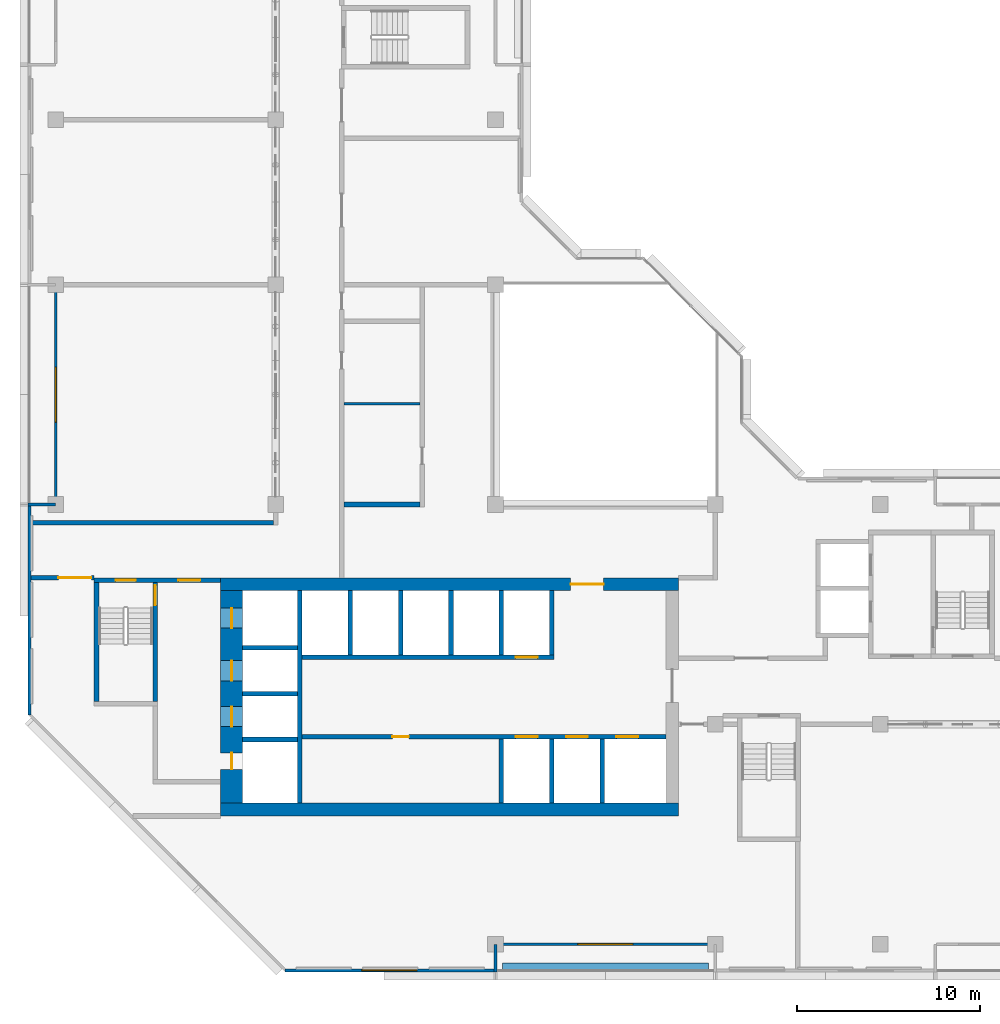
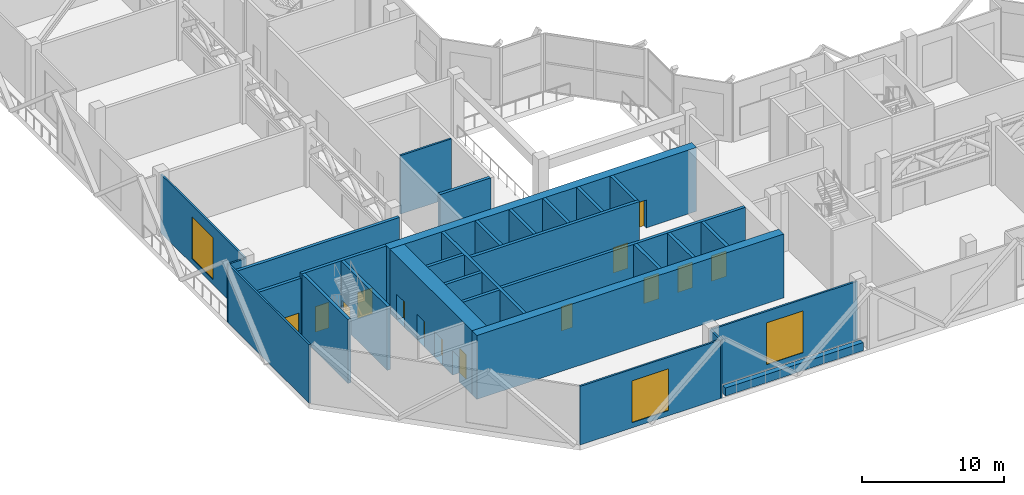
# One storey, part 6 of 14: 31 walls, 14 doors, 3 windows, 17 openings.
"""IFC4 building model written with IfcOpenShell, lengths in metres."""

import ifcopenshell
import ifcopenshell.guid

model = None  # the IFC model being written
_history = None  # IfcOwnerHistory: only IFC2X3 demands one
_inside = {}  # id of a spatial element -> (the spatial element, [elements in it])
_under = {}  # id of a project, library or spatial element -> (it, [spatial elements below it])
_declared = {}  # id of a project -> (the project, [libraries it declares])
_typed = {}  # id of a type object -> (the type object, [elements of that type])
_made_of = {}  # id of a material, layer set ... -> (it, [elements and type objects made of it])


def new_model(schema):
    """Start an empty IFC model of exactly this schema.

    Asked for "IFC4X3", IfcOpenShell would pick the latest addendum, in which some entities
    have other attributes; the version numbers below select the first issue.
    IFC2X3 requires an IfcOwnerHistory on every rooted entity: one is made here for all.
    """
    global model, _history
    if schema == "IFC4X3":
        model = ifcopenshell.file(schema_version=(4, 3, 0, 0))
    else:
        model = ifcopenshell.file(schema=schema)
    _inside.clear()
    _under.clear()
    _declared.clear()
    _typed.clear()
    _made_of.clear()
    _history = None
    if model.schema == "IFC2X3":
        org = make("IfcOrganization", Name="unknown")
        user = make(
            "IfcPersonAndOrganization",
            ThePerson=make("IfcPerson", FamilyName="unknown"),
            TheOrganization=org,
        )
        app = make(
            "IfcApplication",
            ApplicationDeveloper=org,
            Version="unknown",
            ApplicationFullName="unknown",
            ApplicationIdentifier="unknown",
        )
        _history = make(
            "IfcOwnerHistory",
            OwningUser=user,
            OwningApplication=app,
            ChangeAction="ADDED",
            CreationDate=0,
        )
    return model


def make(cls, **values):
    """One entity of the class cls with the attributes given. An attribute that is None is left unset."""
    return model.create_entity(
        cls, **{name: value for name, value in values.items() if value is not None}
    )


def rooted(cls, **values):
    """An entity with a GlobalId (a new one), such as an element, a storey or a relation."""
    return make(cls, GlobalId=ifcopenshell.guid.new(), OwnerHistory=_history, **values)


def si_unit(unit_type, name, prefix=None):
    """IfcSIUnit, for example si_unit("LENGTHUNIT", "METRE", prefix="MILLI")."""
    return make("IfcSIUnit", UnitType=unit_type, Prefix=prefix, Name=name)


def assignment(units):
    """IfcUnitAssignment: the units of a project."""
    return None if units is None else make("IfcUnitAssignment", Units=units)


def point(xyz):
    """IfcCartesianPoint."""
    return None if xyz is None else make("IfcCartesianPoint", Coordinates=xyz)


def direction(xyz):
    """IfcDirection."""
    return None if xyz is None else make("IfcDirection", DirectionRatios=xyz)


def frame(location, z_axis=None, x_axis=None):
    """IfcAxis2Placement3D, a coordinate frame: its origin and axes. An axis left out is left unset."""
    return make(
        "IfcAxis2Placement3D",
        Location=point(location),
        Axis=direction(z_axis),
        RefDirection=direction(x_axis),
    )


def frame_2d(location, x_axis=None):
    """IfcAxis2Placement2D, a coordinate frame in the plane: its origin and x axis."""
    return make(
        "IfcAxis2Placement2D", Location=point(location), RefDirection=direction(x_axis)
    )


def origin():
    """The frame at (0, 0, 0) with its axes left unset."""
    return frame((0.0, 0.0, 0.0))


def place(relative_to, where):
    """IfcLocalPlacement: puts the frame where relative to a parent placement (None: the world)."""
    return make(
        "IfcLocalPlacement", PlacementRelTo=relative_to, RelativePlacement=where
    )


def context(
    kind, dimensions, precision=None, world=None, true_north=None, identifier=None
):
    """IfcGeometricRepresentationContext, for example the 3D "Model" context."""
    return make(
        "IfcGeometricRepresentationContext",
        ContextIdentifier=identifier,
        ContextType=kind,
        CoordinateSpaceDimension=dimensions,
        Precision=precision,
        WorldCoordinateSystem=world,
        TrueNorth=true_north,
    )


def subcontext(parent, identifier, kind, view, scale=None):
    """IfcGeometricRepresentationSubContext, for example "Body" below "Model"."""
    return make(
        "IfcGeometricRepresentationSubContext",
        ContextIdentifier=identifier,
        ContextType=kind,
        ParentContext=parent,
        TargetScale=scale,
        TargetView=view,
    )


def project(units=None, contexts=None):
    """IfcProject with its units and contexts."""
    return rooted(
        "IfcProject",
        Name="project",
        RepresentationContexts=contexts,
        UnitsInContext=assignment(units),
    )


def spatial(cls, under=None, at=None, **own):
    """A site, building, storey or space (cls), placed at a placement, below another one or the project."""
    s = rooted(cls, ObjectPlacement=at, **own)
    if under is not None:
        _under.setdefault(under.id(), (under, []))[1].append(s)
    return s


def profile(cls, at=None, kind="AREA", **sizes):
    """A parametric profile (cls). Its sizes go by their IFC names, for example OverallWidth=200.0."""
    return make(cls, ProfileType=kind, Position=at, **sizes)


def rectangle(**sizes):
    """IfcRectangleProfileDef."""
    return profile("IfcRectangleProfileDef", **sizes)


def extrude(swept, where, along, depth):
    """IfcExtrudedAreaSolid: the profile swept, set in the frame where, extruded along a direction by depth."""
    return make(
        "IfcExtrudedAreaSolid",
        SweptArea=swept,
        Position=where,
        ExtrudedDirection=direction(along),
        Depth=depth,
    )


def shape(context_of_items, identifier, shape_type, items):
    """IfcShapeRepresentation: the items that make up one representation, for example the "Body"."""
    return make(
        "IfcShapeRepresentation",
        ContextOfItems=context_of_items,
        RepresentationIdentifier=identifier,
        RepresentationType=shape_type,
        Items=items,
    )


def material(Name=None, Category=None):
    """IfcMaterial."""
    return make("IfcMaterial", Name=Name, Category=Category)


def layer(
    of_material, thickness, ventilated=None, Name=None, Category=None, Priority=None
):
    """IfcMaterialLayer: one layer of a wall or slab, of a material (None: an air gap)."""
    return make(
        "IfcMaterialLayer",
        Material=of_material,
        LayerThickness=thickness,
        IsVentilated=ventilated,
        Name=Name,
        Category=Category,
        Priority=Priority,
    )


def layer_set(layers, Name=None):
    """IfcMaterialLayerSet."""
    return make("IfcMaterialLayerSet", MaterialLayers=layers, LayerSetName=Name)


def made_of(thing, what):
    """Note that an element or type object is made of a material, layer set ...; save() writes the relation."""
    if what is not None:
        _made_of.setdefault(what.id(), (what, []))[1].append(thing)
    return thing


def type_object(cls, material=None, **own):
    """A type object (cls), such as IfcWallType, which elements share."""
    return made_of(rooted(cls, **own), material)


def element(
    cls,
    number,
    at=None,
    inside=None,
    cuts=None,
    type_object=None,
    material=None,
    context=None,
    identifier="Body",
    shape_type=None,
    held_by="IfcProductDefinitionShape",
    body=None,
    shapes=None,
    **own,
):
    """One element of the class cls, such as IfcWall. Its Tag is "e" and its number.

    at: its placement. inside: the storey or other place that contains it. cuts: it is an
    opening in that element (IfcRelVoidsElement). A single representation is given by context,
    identifier, shape_type and body (its items); several are given by shapes. held_by: the class
    of the entity that holds the representations. save() writes the other relations.
    """
    e = rooted(cls, Tag="e%d" % number, ObjectPlacement=at, **own)
    if body is not None:
        shapes = [shape(context, identifier, shape_type, body)]
    if shapes is not None:
        e.Representation = make(held_by, Representations=shapes)
    if inside is not None:
        _inside.setdefault(inside.id(), (inside, []))[1].append(e)
    if cuts is not None:
        rooted(
            "IfcRelVoidsElement", RelatingBuildingElement=cuts, RelatedOpeningElement=e
        )
    if type_object is not None:
        _typed.setdefault(type_object.id(), (type_object, []))[1].append(e)
    return made_of(e, material)


def fill(opening, filler):
    """IfcRelFillsElement: the door or window that sits in an opening."""
    return rooted(
        "IfcRelFillsElement",
        RelatingOpeningElement=opening,
        RelatedBuildingElement=filler,
    )


def aggregate(whole, parts):
    """IfcRelAggregates: a whole, such as a stair, and the parts it consists of."""
    return rooted("IfcRelAggregates", RelatingObject=whole, RelatedObjects=parts)


def save(model, path):
    """Write the relations noted so far, then the file.

    IfcRelAggregates (storeys below a building ...), IfcRelContainedInSpatialStructure (elements
    in a storey), IfcRelDefinesByType, IfcRelAssociatesMaterial and IfcRelDeclares: one each for
    every whole, place, type object, material and project.
    """
    for whole, parts in _under.values():
        aggregate(whole, parts)
    for where, things in _inside.values():
        rooted(
            "IfcRelContainedInSpatialStructure",
            RelatedElements=things,
            RelatingStructure=where,
        )
    for kind, things in _typed.values():
        rooted("IfcRelDefinesByType", RelatedObjects=things, RelatingType=kind)
    for what, things in _made_of.values():
        rooted("IfcRelAssociatesMaterial", RelatedObjects=things, RelatingMaterial=what)
    for by, libraries in _declared.values():
        rooted("IfcRelDeclares", RelatingContext=by, RelatedDefinitions=libraries)
    model.write(path)


model = new_model("IFC4")

# Units and contexts
model_context = context("Model", 3, precision=1e-05, world=origin(), true_north=direction((0.0, 1.0)))
body_context = subcontext(model_context, "Body", "Model", "MODEL_VIEW")
ifc_project = project(units=[si_unit("LENGTHUNIT", "METRE"), si_unit("AREAUNIT", "SQUARE_METRE"), si_unit("VOLUMEUNIT", "CUBIC_METRE"), si_unit("PLANEANGLEUNIT", "RADIAN"), si_unit("MASSUNIT", "GRAM", prefix="KILO")], contexts=[model_context])

# Site, building, storey
site_placement = place(None, origin())
site = spatial("IfcSite", under=ifc_project, at=site_placement, CompositionType="ELEMENT")
building_placement = place(site_placement, origin())
building = spatial("IfcBuilding", under=site, at=building_placement, Name="Chenar Terraces", CompositionType="ELEMENT")
storey_placement = place(building_placement, frame((0.0, 0.0, 256.64990234375)))
storey = spatial("IfcBuildingStorey", under=building, at=storey_placement, Name="L61", CompositionType="ELEMENT", Elevation=256.64990234375)

# Wall, openings, doors
ifc_material_1 = material(Name="Concrete C60/75", Category="concrete")
ifc_layer_1 = layer(ifc_material_1, 1.199951171875)
ifc_layer_set_1 = layer_set([ifc_layer_1], Name="Concrete C60/75")
wall_type_1 = type_object("IfcWallType", Name="Core wall 1200 Concrete C60/75", PredefinedType="SHEAR", material=ifc_layer_set_1)
wall_1_placement = place(storey_placement, frame((9.60009765625, 7.699951171875, 0.0), z_axis=(0.0, 0.0, 1.0), x_axis=(0.0, 1.0, 0.0)))
wall_1 = element("IfcWall", 1, at=wall_1_placement, inside=storey, type_object=wall_type_1, Name="Core wall W L61", PredefinedType="SHEAR", context=body_context, shape_type="SweptSolid", body=[
    extrude(rectangle(XDim=11.60009765625, YDim=1.199951171875, at=frame_2d((5.800048828125, 0.0))), origin(), (0.0, 0.0, 1.0), 5.5),
])
opening_1_placement = place(wall_1_placement, frame((4.175048828125, 0.0, 0.0)))
opening_1 = element("IfcOpeningElement", 2, at=opening_1_placement, cuts=wall_1, Name="Opening DL61-LD5", PredefinedType="OPENING", context=body_context, shape_type="SweptSolid", body=[
    extrude(rectangle(XDim=1.10009765625, YDim=2.199951171875, at=frame_2d((0.550048828125, 1.10009765625))), frame((0.0, 0.60986328125, 0.0), z_axis=(0.0, -1.0, 0.0), x_axis=(1.0, 0.0, 0.0)), (0.0, 0.0, 1.0), 1.219970703125),
])
opening_2_placement = place(wall_1_placement, frame((6.675048828125, 0.0, 0.0)))
opening_2 = element("IfcOpeningElement", 3, at=opening_2_placement, cuts=wall_1, Name="Opening DL61-LD6", PredefinedType="OPENING", context=body_context, shape_type="SweptSolid", body=[
    extrude(rectangle(XDim=1.10009765625, YDim=2.199951171875, at=frame_2d((0.550048828125, 1.10009765625))), frame((0.0, 0.60986328125, 0.0), z_axis=(0.0, -1.0, 0.0), x_axis=(1.0, 0.0, 0.0)), (0.0, 0.0, 1.0), 1.219970703125),
])
opening_3_placement = place(wall_1_placement, frame((9.550048828125, 0.0, 0.0)))
opening_3 = element("IfcOpeningElement", 4, at=opening_3_placement, cuts=wall_1, Name="Opening DL61-LD7", PredefinedType="OPENING", context=body_context, shape_type="SweptSolid", body=[
    extrude(rectangle(XDim=1.10009765625, YDim=2.199951171875, at=frame_2d((0.550048828125, 1.10009765625))), frame((0.0, 0.60986328125, 0.0), z_axis=(0.0, -1.0, 0.0), x_axis=(1.0, 0.0, 0.0)), (0.0, 0.0, 1.0), 1.219970703125),
])
opening_4_placement = place(wall_1_placement, frame((1.85009765625, 0.0, 0.0)))
opening_4 = element("IfcOpeningElement", 5, at=opening_4_placement, cuts=wall_1, Name="Opening DL61-C4", PredefinedType="OPENING", context=body_context, shape_type="SweptSolid", body=[
    extrude(rectangle(XDim=0.89990234375, YDim=2.10009765625, at=frame_2d((0.449951171875, 1.050048828125))), frame((0.0, 0.60986328125, 0.0), z_axis=(0.0, -1.0, 0.0), x_axis=(1.0, 0.0, 0.0)), (0.0, 0.0, 1.0), 1.219970703125),
])
ifc_material_2 = material(Name="Stainless steel", Category="steel")
door_type_1 = type_object("IfcDoorType", Name="Lift landing door 1100 x 2200 sliding", OperationType="DOUBLE_DOOR_SLIDING", PredefinedType="DOOR", material=ifc_material_2)
door_1_placement = place(opening_1_placement, origin())
door_1 = element("IfcDoor", 6, at=door_1_placement, inside=storey, type_object=door_type_1, Name="Landing door S1", OperationType="DOUBLE_DOOR_SLIDING", OverallHeight=2.199951171875, OverallWidth=1.10009765625, PredefinedType="DOOR", context=body_context, shape_type="SweptSolid", body=[
    extrude(rectangle(XDim=1.10009765625, YDim=2.199951171875, at=frame_2d((0.550048828125, 1.10009765625))), frame((0.0, 0.02490234375, 0.0), z_axis=(0.0, -1.0, 0.0), x_axis=(1.0, 0.0, 0.0)), (0.0, 0.0, 1.0), 0.050048828125),
])
fill(opening_1, door_1)
door_2_placement = place(opening_2_placement, origin())
door_2 = element("IfcDoor", 7, at=door_2_placement, inside=storey, type_object=door_type_1, Name="Landing door F1", OperationType="DOUBLE_DOOR_SLIDING", OverallHeight=2.199951171875, OverallWidth=1.10009765625, PredefinedType="DOOR", context=body_context, shape_type="SweptSolid", body=[
    extrude(rectangle(XDim=1.10009765625, YDim=2.199951171875, at=frame_2d((0.550048828125, 1.10009765625))), frame((0.0, 0.02490234375, 0.0), z_axis=(0.0, -1.0, 0.0), x_axis=(1.0, 0.0, 0.0)), (0.0, 0.0, 1.0), 0.050048828125),
])
fill(opening_2, door_2)
door_3_placement = place(opening_3_placement, origin())
door_3 = element("IfcDoor", 8, at=door_3_placement, inside=storey, type_object=door_type_1, Name="Landing door F2", OperationType="DOUBLE_DOOR_SLIDING", OverallHeight=2.199951171875, OverallWidth=1.10009765625, PredefinedType="DOOR", context=body_context, shape_type="SweptSolid", body=[
    extrude(rectangle(XDim=1.10009765625, YDim=2.199951171875, at=frame_2d((0.550048828125, 1.10009765625))), frame((0.0, 0.02490234375, 0.0), z_axis=(0.0, -1.0, 0.0), x_axis=(1.0, 0.0, 0.0)), (0.0, 0.0, 1.0), 0.050048828125),
])
fill(opening_3, door_3)
ifc_material_3 = material(Name="Steel-framed fire-resisting door leaf", Category="steel")
door_type_2 = type_object("IfcDoorType", Name="Riser fire door FD60 900 x 2100", OperationType="SINGLE_SWING_LEFT", PredefinedType="DOOR", material=ifc_material_3)
door_4_placement = place(opening_4_placement, frame((0.89990234375, 0.0, 0.0), z_axis=(0.0, 0.0, 1.0), x_axis=(-1.0, 0.0, 0.0)))
door_4 = element("IfcDoor", 9, at=door_4_placement, inside=storey, type_object=door_type_2, Name="Riser door DL61-C4", OperationType="SINGLE_SWING_LEFT", OverallHeight=2.10009765625, OverallWidth=0.89990234375, PredefinedType="DOOR", context=body_context, shape_type="SweptSolid", body=[
    extrude(rectangle(XDim=0.89990234375, YDim=2.10009765625, at=frame_2d((0.449951171875, 1.050048828125))), frame((0.0, 0.02490234375, 0.0), z_axis=(0.0, -1.0, 0.0), x_axis=(1.0, 0.0, 0.0)), (0.0, 0.0, 1.0), 0.050048828125),
])
fill(opening_4, door_4)

# Wall
ifc_material_4 = material(Name="Concrete C60/75", Category="concrete")
ifc_layer_2 = layer(ifc_material_4, 0.25)
ifc_layer_set_2 = layer_set([ifc_layer_2], Name="Concrete C60/75")
wall_type_2 = type_object("IfcWallType", Name="Core wall 250 Concrete C60/75", PredefinedType="SHEAR", material=ifc_layer_set_2)
wall_2_placement = place(storey_placement, frame((13.324951171875, 7.699951171875, 0.0), z_axis=(0.0, 0.0, 1.0), x_axis=(0.0, 1.0, 0.0)))
element("IfcWall", 10, at=wall_2_placement, inside=storey, type_object=wall_type_2, Name="Core wall WI L61", PredefinedType="SHEAR", context=body_context, shape_type="SweptSolid", body=[
    extrude(rectangle(XDim=11.60009765625, YDim=0.25, at=frame_2d((5.800048828125, 0.0))), origin(), (0.0, 0.0, 1.0), 5.5),
])

# Wall, openings, doors
wall_3_placement = place(storey_placement, frame((13.449951171875, 11.324951171875, 0.0), z_axis=(0.0, 0.0, 1.0), x_axis=(1.0, 0.0, 0.0)))
wall_3 = element("IfcWall", 11, at=wall_3_placement, inside=storey, type_object=wall_type_2, Name="Core wall SF L61", PredefinedType="SHEAR", context=body_context, shape_type="SweptSolid", body=[
    extrude(rectangle(XDim=19.85009765625, YDim=0.25, at=frame_2d((9.925048828125, 0.0))), origin(), (0.0, 0.0, 1.0), 5.5),
])
opening_5_placement = place(wall_3_placement, frame((11.64990234375, 0.0, 0.0)))
opening_5 = element("IfcOpeningElement", 12, at=opening_5_placement, cuts=wall_3, Name="Opening DL61-LD1", PredefinedType="OPENING", context=body_context, shape_type="SweptSolid", body=[
    extrude(rectangle(XDim=1.199951171875, YDim=2.199951171875, at=frame_2d((0.60009765625, 1.10009765625))), frame((0.0, 0.135009765625, 0.0), z_axis=(0.0, -1.0, 0.0), x_axis=(1.0, 0.0, 0.0)), (0.0, 0.0, 1.0), 0.27001953125),
])
opening_6_placement = place(wall_3_placement, frame((14.39990234375, 0.0, 0.0)))
opening_6 = element("IfcOpeningElement", 13, at=opening_6_placement, cuts=wall_3, Name="Opening DL61-LD2", PredefinedType="OPENING", context=body_context, shape_type="SweptSolid", body=[
    extrude(rectangle(XDim=1.199951171875, YDim=2.199951171875, at=frame_2d((0.60009765625, 1.10009765625))), frame((0.0, 0.135009765625, 0.0), z_axis=(0.0, -1.0, 0.0), x_axis=(1.0, 0.0, 0.0)), (0.0, 0.0, 1.0), 0.27001953125),
])
opening_7_placement = place(wall_3_placement, frame((17.14990234375, 0.0, 0.0)))
opening_7 = element("IfcOpeningElement", 14, at=opening_7_placement, cuts=wall_3, Name="Opening DL61-LD3", PredefinedType="OPENING", context=body_context, shape_type="SweptSolid", body=[
    extrude(rectangle(XDim=1.199951171875, YDim=2.199951171875, at=frame_2d((0.60009765625, 1.10009765625))), frame((0.0, 0.135009765625, 0.0), z_axis=(0.0, -1.0, 0.0), x_axis=(1.0, 0.0, 0.0)), (0.0, 0.0, 1.0), 0.27001953125),
])
opening_8_placement = place(wall_3_placement, frame((4.925048828125, 0.0, 0.0)))
opening_8 = element("IfcOpeningElement", 15, at=opening_8_placement, cuts=wall_3, Name="Opening DL61-C12", PredefinedType="OPENING", context=body_context, shape_type="SweptSolid", body=[
    extrude(rectangle(XDim=0.89990234375, YDim=2.10009765625, at=frame_2d((0.449951171875, 1.050048828125))), frame((0.0, 0.135009765625, 0.0), z_axis=(0.0, -1.0, 0.0), x_axis=(1.0, 0.0, 0.0)), (0.0, 0.0, 1.0), 0.27001953125),
])
ifc_material_5 = material(Name="Stainless steel", Category="steel")
door_type_3 = type_object("IfcDoorType", Name="Lift landing door 1200 x 2200 sliding", OperationType="DOUBLE_DOOR_SLIDING", PredefinedType="DOOR", material=ifc_material_5)
door_5_placement = place(opening_5_placement, origin())
door_5 = element("IfcDoor", 16, at=door_5_placement, inside=storey, type_object=door_type_3, Name="Landing door M1", OperationType="DOUBLE_DOOR_SLIDING", OverallHeight=2.199951171875, OverallWidth=1.199951171875, PredefinedType="DOOR", context=body_context, shape_type="SweptSolid", body=[
    extrude(rectangle(XDim=1.199951171875, YDim=2.199951171875, at=frame_2d((0.60009765625, 1.10009765625))), frame((0.0, 0.02490234375, 0.0), z_axis=(0.0, -1.0, 0.0), x_axis=(1.0, 0.0, 0.0)), (0.0, 0.0, 1.0), 0.050048828125),
])
fill(opening_5, door_5)
door_6_placement = place(opening_6_placement, origin())
door_6 = element("IfcDoor", 17, at=door_6_placement, inside=storey, type_object=door_type_3, Name="Landing door M2", OperationType="DOUBLE_DOOR_SLIDING", OverallHeight=2.199951171875, OverallWidth=1.199951171875, PredefinedType="DOOR", context=body_context, shape_type="SweptSolid", body=[
    extrude(rectangle(XDim=1.199951171875, YDim=2.199951171875, at=frame_2d((0.60009765625, 1.10009765625))), frame((0.0, 0.02490234375, 0.0), z_axis=(0.0, -1.0, 0.0), x_axis=(1.0, 0.0, 0.0)), (0.0, 0.0, 1.0), 0.050048828125),
])
fill(opening_6, door_6)
door_7_placement = place(opening_7_placement, origin())
door_7 = element("IfcDoor", 18, at=door_7_placement, inside=storey, type_object=door_type_3, Name="Landing door M3", OperationType="DOUBLE_DOOR_SLIDING", OverallHeight=2.199951171875, OverallWidth=1.199951171875, PredefinedType="DOOR", context=body_context, shape_type="SweptSolid", body=[
    extrude(rectangle(XDim=1.199951171875, YDim=2.199951171875, at=frame_2d((0.60009765625, 1.10009765625))), frame((0.0, 0.02490234375, 0.0), z_axis=(0.0, -1.0, 0.0), x_axis=(1.0, 0.0, 0.0)), (0.0, 0.0, 1.0), 0.050048828125),
])
fill(opening_7, door_7)
door_8_placement = place(opening_8_placement, frame((0.89990234375, 0.0, 0.0), z_axis=(0.0, 0.0, 1.0), x_axis=(-1.0, 0.0, 0.0)))
door_8 = element("IfcDoor", 19, at=door_8_placement, inside=storey, type_object=door_type_2, Name="Core room door DL61-C12", OperationType="SINGLE_SWING_RIGHT", OverallHeight=2.10009765625, OverallWidth=0.89990234375, PredefinedType="DOOR", context=body_context, shape_type="SweptSolid", body=[
    extrude(rectangle(XDim=0.89990234375, YDim=2.10009765625, at=frame_2d((0.449951171875, 1.050048828125))), frame((0.0, 0.02490234375, 0.0), z_axis=(0.0, -1.0, 0.0), x_axis=(1.0, 0.0, 0.0)), (0.0, 0.0, 1.0), 0.050048828125),
])
fill(opening_8, door_8)

# Wall, opening, door
wall_4_placement = place(storey_placement, frame((13.449951171875, 15.675048828125, 0.0), z_axis=(0.0, 0.0, 1.0), x_axis=(1.0, 0.0, 0.0)))
wall_4 = element("IfcWall", 20, at=wall_4_placement, inside=storey, type_object=wall_type_2, Name="Core wall NF L61", PredefinedType="SHEAR", context=body_context, shape_type="SweptSolid", body=[
    extrude(rectangle(XDim=13.75, YDim=0.25, at=frame_2d((6.875, 0.0))), origin(), (0.0, 0.0, 1.0), 5.5),
])
opening_9_placement = place(wall_4_placement, frame((11.64990234375, 0.0, 0.0)))
opening_9 = element("IfcOpeningElement", 21, at=opening_9_placement, cuts=wall_4, Name="Opening DL61-LD4", PredefinedType="OPENING", context=body_context, shape_type="SweptSolid", body=[
    extrude(rectangle(XDim=1.199951171875, YDim=2.199951171875, at=frame_2d((0.60009765625, 1.10009765625))), frame((0.0, 0.135009765625, 0.0), z_axis=(0.0, -1.0, 0.0), x_axis=(1.0, 0.0, 0.0)), (0.0, 0.0, 1.0), 0.27001953125),
])
door_9_placement = place(opening_9_placement, origin())
door_9 = element("IfcDoor", 22, at=door_9_placement, inside=storey, type_object=door_type_3, Name="Landing door M4", OperationType="DOUBLE_DOOR_SLIDING", OverallHeight=2.199951171875, OverallWidth=1.199951171875, PredefinedType="DOOR", context=body_context, shape_type="SweptSolid", body=[
    extrude(rectangle(XDim=1.199951171875, YDim=2.199951171875, at=frame_2d((0.60009765625, 1.10009765625))), frame((0.0, 0.02490234375, 0.0), z_axis=(0.0, -1.0, 0.0), x_axis=(1.0, 0.0, 0.0)), (0.0, 0.0, 1.0), 0.050048828125),
])
fill(opening_9, door_9)

# Walls
for number, where, z_axis, x_axis, name in (
    (23, (10.199951171875, 11.175048828125, 0.0), (0.0, 0.0, 1.0), (1.0, 0.0, 0.0), "Core wall HW0 L61"),
    (24, (10.199951171875, 13.675048828125, 0.0), (0.0, 0.0, 1.0), (1.0, 0.0, 0.0), "Core wall HW1 L61"),
    (25, (10.199951171875, 16.175048828125, 0.0), (0.0, 0.0, 1.0), (1.0, 0.0, 0.0), "Core wall HW2 L61"),
):
    element("IfcWall", number, at=place(storey_placement, frame(where, z_axis=z_axis, x_axis=x_axis)), inside=storey, type_object=wall_type_2, Name=name, PredefinedType="SHEAR", context=body_context, shape_type="SweptSolid", body=[
        extrude(rectangle(XDim=3.0, YDim=0.25, at=frame_2d((1.5, 0.0))), origin(), (0.0, 0.0, 1.0), 5.5),
    ])
for number, where, z_axis, x_axis, name in (
    (26, (24.324951171875, 7.699951171875, 0.0), (0.0, 0.0, 1.0), (0.0, 1.0, 0.0), "Core wall SS3 L61"),
    (27, (27.074951171875, 7.699951171875, 0.0), (0.0, 0.0, 1.0), (0.0, 1.0, 0.0), "Core wall SS4 L61"),
    (28, (29.824951171875, 7.699951171875, 0.0), (0.0, 0.0, 1.0), (0.0, 1.0, 0.0), "Core wall SS5 L61"),
    (29, (16.074951171875, 15.800048828125, 0.0), (0.0, 0.0, 1.0), (0.0, 1.0, 0.0), "Core wall NS0 L61"),
    (30, (18.824951171875, 15.800048828125, 0.0), (0.0, 0.0, 1.0), (0.0, 1.0, 0.0), "Core wall NS1 L61"),
    (31, (21.574951171875, 15.800048828125, 0.0), (0.0, 0.0, 1.0), (0.0, 1.0, 0.0), "Core wall NS2 L61"),
    (32, (24.324951171875, 15.800048828125, 0.0), (0.0, 0.0, 1.0), (0.0, 1.0, 0.0), "Core wall NS3 L61"),
    (33, (27.074951171875, 15.800048828125, 0.0), (0.0, 0.0, 1.0), (0.0, 1.0, 0.0), "Core wall NE L61"),
):
    element("IfcWall", number, at=place(storey_placement, frame(where, z_axis=z_axis, x_axis=x_axis)), inside=storey, type_object=wall_type_2, Name=name, PredefinedType="SHEAR", context=body_context, shape_type="SweptSolid", body=[
        extrude(rectangle(XDim=3.5, YDim=0.25, at=frame_2d((1.75, 0.0))), origin(), (0.0, 0.0, 1.0), 5.5),
    ])

# Wall, openings, doors
wall_5_placement = place(storey_placement, frame((2.10009765625, 19.875, 0.0), z_axis=(0.0, 0.0, 1.0), x_axis=(1.0, 0.0, 0.0)))
wall_5 = element("IfcWall", 34, at=wall_5_placement, inside=storey, type_object=wall_type_2, Name="Core wall A_N L61", PredefinedType="SHEAR", context=body_context, shape_type="SweptSolid", body=[
    extrude(rectangle(XDim=6.89990234375, YDim=0.25, at=frame_2d((3.449951171875, 0.0))), origin(), (0.0, 0.0, 1.0), 5.5),
])
opening_10_placement = place(wall_5_placement, frame((1.175048828125, 0.0, 0.0)))
opening_10 = element("IfcOpeningElement", 35, at=opening_10_placement, cuts=wall_5, Name="Opening DL61-C5", PredefinedType="OPENING", context=body_context, shape_type="SweptSolid", body=[
    extrude(rectangle(XDim=1.10009765625, YDim=2.199951171875, at=frame_2d((0.550048828125, 1.10009765625))), frame((0.0, 0.135009765625, 0.0), z_axis=(0.0, -1.0, 0.0), x_axis=(1.0, 0.0, 0.0)), (0.0, 0.0, 1.0), 0.27001953125),
])
opening_11_placement = place(wall_5_placement, frame((4.60009765625, 0.0, 0.0)))
opening_11 = element("IfcOpeningElement", 36, at=opening_11_placement, cuts=wall_5, Name="Opening DL61-C6", PredefinedType="OPENING", context=body_context, shape_type="SweptSolid", body=[
    extrude(rectangle(XDim=1.199951171875, YDim=2.199951171875, at=frame_2d((0.60009765625, 1.10009765625))), frame((0.0, 0.135009765625, 0.0), z_axis=(0.0, -1.0, 0.0), x_axis=(1.0, 0.0, 0.0)), (0.0, 0.0, 1.0), 0.27001953125),
])
ifc_material_6 = material(Name="Steel-framed fire-resisting door leaf", Category="steel")
door_type_4 = type_object("IfcDoorType", Name="Lobby fire door FD60 1200 x 2200", OperationType="SINGLE_SWING_LEFT", PredefinedType="DOOR", material=ifc_material_6)
door_10_placement = place(opening_11_placement, frame((1.199951171875, 0.0, 0.0), z_axis=(0.0, 0.0, 1.0), x_axis=(-1.0, 0.0, 0.0)))
door_10 = element("IfcDoor", 37, at=door_10_placement, inside=storey, type_object=door_type_4, Name="Core door DL61-C6", OperationType="SINGLE_SWING_LEFT", OverallHeight=2.199951171875, OverallWidth=1.199951171875, PredefinedType="DOOR", context=body_context, shape_type="SweptSolid", body=[
    extrude(rectangle(XDim=1.199951171875, YDim=2.199951171875, at=frame_2d((0.60009765625, 1.10009765625))), frame((0.0, 0.02490234375, 0.0), z_axis=(0.0, -1.0, 0.0), x_axis=(1.0, 0.0, 0.0)), (0.0, 0.0, 1.0), 0.050048828125),
])
fill(opening_11, door_10)
ifc_material_7 = material(Name="Steel-framed fire-resisting door leaf", Category="steel")
door_type_5 = type_object("IfcDoorType", Name="Stair fire door FD60 1100 x 2200", OperationType="SINGLE_SWING_LEFT", PredefinedType="DOOR", material=ifc_material_7)
door_11_placement = place(opening_10_placement, origin())
door_11 = element("IfcDoor", 38, at=door_11_placement, inside=storey, type_object=door_type_5, Name="Stair door DL61-C5", OperationType="SINGLE_SWING_LEFT", OverallHeight=2.199951171875, OverallWidth=1.10009765625, PredefinedType="DOOR", context=body_context, shape_type="SweptSolid", body=[
    extrude(rectangle(XDim=1.10009765625, YDim=2.199951171875, at=frame_2d((0.550048828125, 1.10009765625))), frame((0.0, 0.02490234375, 0.0), z_axis=(0.0, -1.0, 0.0), x_axis=(1.0, 0.0, 0.0)), (0.0, 0.0, 1.0), 0.050048828125),
])
fill(opening_10, door_11)

# Wall
wall_6_placement = place(storey_placement, frame((2.22509765625, 13.25, 0.0), z_axis=(0.0, 0.0, 1.0), x_axis=(0.0, 1.0, 0.0)))
element("IfcWall", 39, at=wall_6_placement, inside=storey, type_object=wall_type_2, Name="Core wall ST1_W L61", PredefinedType="SHEAR", context=body_context, shape_type="SweptSolid", body=[
    extrude(rectangle(XDim=6.5, YDim=0.25, at=frame_2d((3.25, 0.0))), origin(), (0.0, 0.0, 1.0), 5.5),
])

# Wall, opening, door
wall_7_placement = place(storey_placement, frame((5.425048828125, 13.25, 0.0), z_axis=(0.0, 0.0, 1.0), x_axis=(0.0, 1.0, 0.0)))
wall_7 = element("IfcWall", 40, at=wall_7_placement, inside=storey, type_object=wall_type_2, Name="Core wall ST1_E L61", PredefinedType="SHEAR", context=body_context, shape_type="SweptSolid", body=[
    extrude(rectangle(XDim=6.5, YDim=0.25, at=frame_2d((3.25, 0.0))), origin(), (0.0, 0.0, 1.0), 5.5),
])
opening_12_placement = place(wall_7_placement, frame((5.25, 0.0, 0.0)))
opening_12 = element("IfcOpeningElement", 41, at=opening_12_placement, cuts=wall_7, Name="Opening DL61-C3", PredefinedType="OPENING", context=body_context, shape_type="SweptSolid", body=[
    extrude(rectangle(XDim=1.10009765625, YDim=2.199951171875, at=frame_2d((0.550048828125, 1.10009765625))), frame((0.0, 0.135009765625, 0.0), z_axis=(0.0, -1.0, 0.0), x_axis=(1.0, 0.0, 0.0)), (0.0, 0.0, 1.0), 0.27001953125),
])
door_12_placement = place(opening_12_placement, origin())
door_12 = element("IfcDoor", 42, at=door_12_placement, inside=storey, type_object=door_type_5, Name="Stair door DL61-C3", OperationType="SINGLE_SWING_RIGHT", OverallHeight=2.199951171875, OverallWidth=1.10009765625, PredefinedType="DOOR", context=body_context, shape_type="SweptSolid", body=[
    extrude(rectangle(XDim=1.10009765625, YDim=2.199951171875, at=frame_2d((0.550048828125, 1.10009765625))), frame((0.0, 0.02490234375, 0.0), z_axis=(0.0, -1.0, 0.0), x_axis=(1.0, 0.0, 0.0)), (0.0, 0.0, 1.0), 0.050048828125),
])
fill(opening_12, door_12)

# Wall
ifc_material_8 = material(Name="Concrete C60/75", Category="concrete")
ifc_layer_3 = layer(ifc_material_8, 0.699951171875)
ifc_layer_set_3 = layer_set([ifc_layer_3], Name="Concrete C60/75")
wall_type_3 = type_object("IfcWallType", Name="Core wall 700 Concrete C60/75", PredefinedType="SHEAR", material=ifc_layer_set_3)
wall_8_placement = place(storey_placement, frame((9.0, 7.35009765625, 0.0), z_axis=(0.0, 0.0, 1.0), x_axis=(1.0, 0.0, 0.0)))
element("IfcWall", 43, at=wall_8_placement, inside=storey, type_object=wall_type_3, Name="Core wall S L61", PredefinedType="SHEAR", context=body_context, shape_type="SweptSolid", body=[
    extrude(rectangle(XDim=25.0, YDim=0.699951171875, at=frame_2d((12.5, 0.0))), origin(), (0.0, 0.0, 1.0), 5.5),
])

# Wall, opening, door
wall_9_placement = place(storey_placement, frame((9.0, 19.64990234375, 0.0), z_axis=(0.0, 0.0, 1.0), x_axis=(1.0, 0.0, 0.0)))
wall_9 = element("IfcWall", 44, at=wall_9_placement, inside=storey, type_object=wall_type_3, Name="Core wall N L61", PredefinedType="SHEAR", context=body_context, shape_type="SweptSolid", body=[
    extrude(rectangle(XDim=25.0, YDim=0.699951171875, at=frame_2d((12.5, 0.0))), origin(), (0.0, 0.0, 1.0), 5.5),
])
opening_13_placement = place(wall_9_placement, frame((19.10009765625, 0.0, 0.0)))
opening_13 = element("IfcOpeningElement", 45, at=opening_13_placement, cuts=wall_9, Name="Opening DL61-C2", PredefinedType="OPENING", context=body_context, shape_type="SweptSolid", body=[
    extrude(rectangle(XDim=1.800048828125, YDim=2.39990234375, at=frame_2d((0.89990234375, 1.199951171875))), frame((0.0, 0.35986328125, 0.0), z_axis=(0.0, -1.0, 0.0), x_axis=(1.0, 0.0, 0.0)), (0.0, 0.0, 1.0), 0.719970703125),
])
ifc_material_9 = material(Name="Steel-framed fire-resisting door leaf", Category="steel")
door_type_6 = type_object("IfcDoorType", Name="Core entrance double fire door FD60 1800 x 2400", OperationType="DOUBLE_DOOR_SINGLE_SWING", PredefinedType="DOOR", material=ifc_material_9)
door_13_placement = place(opening_13_placement, frame((1.800048828125, 0.0, 0.0), z_axis=(0.0, 0.0, 1.0), x_axis=(-1.0, 0.0, 0.0)))
door_13 = element("IfcDoor", 46, at=door_13_placement, inside=storey, type_object=door_type_6, Name="Core door DL61-C2", OperationType="DOUBLE_DOOR_SINGLE_SWING", OverallHeight=2.39990234375, OverallWidth=1.800048828125, PredefinedType="DOOR", context=body_context, shape_type="SweptSolid", body=[
    extrude(rectangle(XDim=1.800048828125, YDim=2.39990234375, at=frame_2d((0.89990234375, 1.199951171875))), frame((0.0, 0.02490234375, 0.0), z_axis=(0.0, -1.0, 0.0), x_axis=(1.0, 0.0, 0.0)), (0.0, 0.0, 1.0), 0.050048828125),
])
fill(opening_13, door_13)

# Wall
ifc_material_10 = material(Name="Aluminium framed glazing", Category="aluminium")
ifc_layer_4 = layer(ifc_material_10, 0.14990234375)
ifc_layer_set_4 = layer_set([ifc_layer_4], Name="Aluminium framed glazing")
wall_type_4 = type_object("IfcWallType", Name="Glazed flush facade wall 150", PredefinedType="SOLIDWALL", material=ifc_layer_set_4)
wall_10_placement = place(storey_placement, frame((-1.425048828125, 23.925048828125, 0.0), z_axis=(0.0, 0.0, 1.0), x_axis=(0.0, -1.0, 0.0)))
element("IfcWall", 47, at=wall_10_placement, inside=storey, type_object=wall_type_4, Name="Glazed flush facade wall", PredefinedType="SOLIDWALL", context=body_context, shape_type="SweptSolid", body=[
    extrude(rectangle(XDim=11.425048828125, YDim=0.14990234375, at=frame_2d((5.71240234375, 0.0))), origin(), (0.0, 0.0, 1.0), 5.050048828125),
])

# Wall, opening, window
wall_11_placement = place(storey_placement, frame((12.5, -1.425048828125, 0.0), z_axis=(0.0, 0.0, 1.0), x_axis=(1.0, 0.0, 0.0)))
wall_11 = element("IfcWall", 48, at=wall_11_placement, inside=storey, type_object=wall_type_4, Name="Glazed flush facade wall", PredefinedType="SOLIDWALL", context=body_context, shape_type="SweptSolid", body=[
    extrude(rectangle(XDim=11.425048828125, YDim=0.14990234375, at=frame_2d((5.71240234375, 0.0))), origin(), (0.0, 0.0, 1.0), 5.050048828125),
])
opening_14_placement = place(wall_11_placement, frame((4.21240234375, 0.0, 0.449951171875)))
opening_14 = element("IfcOpeningElement", 49, at=opening_14_placement, cuts=wall_11, Name="Opening W300x360", PredefinedType="OPENING", context=body_context, shape_type="SweptSolid", body=[
    extrude(rectangle(XDim=3.0, YDim=3.60009765625, at=frame_2d((1.5, 1.800048828125))), frame((0.0, 0.0849609375, 0.0), z_axis=(0.0, -1.0, 0.0), x_axis=(1.0, 0.0, 0.0)), (0.0, 0.0, 1.0), 0.169921875),
])
ifc_material_11 = material(Name="Low emissivity double glazing, aluminium frame", Category="aluminium")
window_type = type_object("IfcWindowType", Name="Fixed light 3000 x 3600", PartitioningType="SINGLE_PANEL", PredefinedType="WINDOW", material=ifc_material_11)
window_1_placement = place(opening_14_placement, origin())
window_1 = element("IfcWindow", 50, at=window_1_placement, inside=storey, type_object=window_type, Name="Window", OverallHeight=3.60009765625, OverallWidth=3.0, PartitioningType="SINGLE_PANEL", PredefinedType="WINDOW", context=body_context, shape_type="SweptSolid", body=[
    extrude(rectangle(XDim=3.0, YDim=3.60009765625, at=frame_2d((1.5, 1.800048828125))), frame((0.0, 0.030029296875, 0.0), z_axis=(0.0, -1.0, 0.0), x_axis=(1.0, 0.0, 0.0)), (0.0, 0.0, 1.0), 0.06005859375),
])
fill(opening_14, window_1)

ifc_material_12 = material(Name="Aluminium framed glazing", Category="aluminium")
ifc_layer_5 = layer(ifc_material_12, 0.14990234375)
ifc_layer_set_5 = layer_set([ifc_layer_5], Name="Aluminium framed glazing")
wall_type_5 = type_object("IfcWallType", Name="Glazed loggia back wall 150", PredefinedType="SOLIDWALL", material=ifc_layer_set_5)
wall_12_placement = place(storey_placement, frame((0.0, 35.925048828125, 0.0), z_axis=(0.0, 0.0, 1.0), x_axis=(0.0, -1.0, 0.0)))
wall_12 = element("IfcWall", 51, at=wall_12_placement, inside=storey, type_object=wall_type_5, Name="Glazed loggia back wall", PredefinedType="SOLIDWALL", context=body_context, shape_type="SweptSolid", body=[
    extrude(rectangle(XDim=11.85009765625, YDim=0.14990234375, at=frame_2d((5.925048828125, 0.0))), origin(), (0.0, 0.0, 1.0), 5.050048828125),
])
opening_15_placement = place(wall_12_placement, frame((4.425048828125, 0.0, 0.449951171875)))
opening_15 = element("IfcOpeningElement", 52, at=opening_15_placement, cuts=wall_12, Name="Opening W300x360", PredefinedType="OPENING", context=body_context, shape_type="SweptSolid", body=[
    extrude(rectangle(XDim=3.0, YDim=3.60009765625, at=frame_2d((1.5, 1.800048828125))), frame((0.0, 0.0849609375, 0.0), z_axis=(0.0, -1.0, 0.0), x_axis=(1.0, 0.0, 0.0)), (0.0, 0.0, 1.0), 0.169921875),
])
window_2_placement = place(opening_15_placement, origin())
window_2 = element("IfcWindow", 53, at=window_2_placement, inside=storey, type_object=window_type, Name="Window", OverallHeight=3.60009765625, OverallWidth=3.0, PartitioningType="SINGLE_PANEL", PredefinedType="WINDOW", context=body_context, shape_type="SweptSolid", body=[
    extrude(rectangle(XDim=3.0, YDim=3.60009765625, at=frame_2d((1.5, 1.800048828125))), frame((0.0, 0.030029296875, 0.0), z_axis=(0.0, -1.0, 0.0), x_axis=(1.0, 0.0, 0.0)), (0.0, 0.0, 1.0), 0.06005859375),
])
fill(opening_15, window_2)

wall_13_placement = place(storey_placement, frame((24.074951171875, 0.0, 0.0), z_axis=(0.0, 0.0, 1.0), x_axis=(1.0, 0.0, 0.0)))
wall_13 = element("IfcWall", 54, at=wall_13_placement, inside=storey, type_object=wall_type_5, Name="Glazed loggia back wall", PredefinedType="SOLIDWALL", context=body_context, shape_type="SweptSolid", body=[
    extrude(rectangle(XDim=11.85009765625, YDim=0.14990234375, at=frame_2d((5.925048828125, 0.0))), origin(), (0.0, 0.0, 1.0), 5.050048828125),
])
opening_16_placement = place(wall_13_placement, frame((4.425048828125, 0.0, 0.449951171875)))
opening_16 = element("IfcOpeningElement", 55, at=opening_16_placement, cuts=wall_13, Name="Opening W300x360", PredefinedType="OPENING", context=body_context, shape_type="SweptSolid", body=[
    extrude(rectangle(XDim=3.0, YDim=3.60009765625, at=frame_2d((1.5, 1.800048828125))), frame((0.0, 0.0849609375, 0.0), z_axis=(0.0, -1.0, 0.0), x_axis=(1.0, 0.0, 0.0)), (0.0, 0.0, 1.0), 0.169921875),
])
window_3_placement = place(opening_16_placement, origin())
window_3 = element("IfcWindow", 56, at=window_3_placement, inside=storey, type_object=window_type, Name="Window", OverallHeight=3.60009765625, OverallWidth=3.0, PartitioningType="SINGLE_PANEL", PredefinedType="WINDOW", context=body_context, shape_type="SweptSolid", body=[
    extrude(rectangle(XDim=3.0, YDim=3.60009765625, at=frame_2d((1.5, 1.800048828125))), frame((0.0, 0.030029296875, 0.0), z_axis=(0.0, -1.0, 0.0), x_axis=(1.0, 0.0, 0.0)), (0.0, 0.0, 1.0), 0.06005859375),
])
fill(opening_16, window_3)

# Walls
ifc_material_13 = material(Name="Terracotta cladding on insulated backing", Category="masonry")
ifc_layer_6 = layer(ifc_material_13, 0.14990234375)
ifc_layer_set_6 = layer_set([ifc_layer_6], Name="Terracotta cladding on insulated backing")
wall_type_6 = type_object("IfcWallType", Name="Loggia return wall 150", PredefinedType="SOLIDWALL", material=ifc_layer_set_6)
for number, where, z_axis, x_axis, name in (
    (57, (-1.5, 24.0, 0.0), (0.0, 0.0, 1.0), (1.0, 0.0, 0.0), "Loggia return wall"),
    (58, (24.0, -1.5, 0.0), (0.0, 0.0, 1.0), (0.0, 1.0, 0.0), "Loggia return wall"),
):
    element("IfcWall", number, at=place(storey_placement, frame(where, z_axis=z_axis, x_axis=x_axis)), inside=storey, type_object=wall_type_6, Name=name, PredefinedType="SOLIDWALL", context=body_context, shape_type="SweptSolid", body=[
        extrude(rectangle(XDim=1.5, YDim=0.14990234375, at=frame_2d((0.75, 0.0))), origin(), (0.0, 0.0, 1.0), 5.050048828125),
    ])

# Wall, opening, door
ifc_material_14 = material(Name="Fire-board and steel stud wall with mineral wool", Category="steel")
ifc_layer_7 = layer(ifc_material_14, 0.25)
ifc_layer_set_7 = layer_set([ifc_layer_7], Name="Fire-board and steel stud wall with mineral wool")
wall_type_7 = type_object("IfcWallType", Name="Refuge compartment wall 250", PredefinedType="PARTITIONING", material=ifc_layer_set_7)
wall_14_placement = place(storey_placement, frame((-1.35009765625, 20.0, 0.0), z_axis=(0.0, 0.0, 1.0), x_axis=(1.0, 0.0, 0.0)))
wall_14 = element("IfcWall", 59, at=wall_14_placement, inside=storey, type_object=wall_type_7, Name="Partition L61-001", PredefinedType="PARTITIONING", context=body_context, shape_type="SweptSolid", body=[
    extrude(rectangle(XDim=3.4501953125, YDim=0.25, at=frame_2d((1.72509765625, 0.0))), origin(), (0.0, 0.0, 1.0), 5.050048828125),
])
opening_17_placement = place(wall_14_placement, frame((1.5, 0.0, 0.0)))
opening_17 = element("IfcOpeningElement", 60, at=opening_17_placement, cuts=wall_14, Name="Opening DL61-14", PredefinedType="OPENING", context=body_context, shape_type="SweptSolid", body=[
    extrude(rectangle(XDim=1.800048828125, YDim=2.10009765625, at=frame_2d((0.89990234375, 1.050048828125))), frame((0.0, 0.135009765625, 0.0), z_axis=(0.0, -1.0, 0.0), x_axis=(1.0, 0.0, 0.0)), (0.0, 0.0, 1.0), 0.27001953125),
])
ifc_material_15 = material(Name="Steel-framed fire-resisting door leaf", Category="steel")
door_type_7 = type_object("IfcDoorType", Name="Fire double door FD120 1800 x 2100", OperationType="DOUBLE_DOOR_SINGLE_SWING", PredefinedType="DOOR", material=ifc_material_15)
door_14_placement = place(opening_17_placement, frame((1.800048828125, 0.0, 0.0), z_axis=(0.0, 0.0, 1.0), x_axis=(-1.0, 0.0, 0.0)))
door_14 = element("IfcDoor", 61, at=door_14_placement, inside=storey, type_object=door_type_7, Name="Door DL61-14", OperationType="DOUBLE_DOOR_SINGLE_SWING", OverallHeight=2.10009765625, OverallWidth=1.800048828125, PredefinedType="DOOR", context=body_context, shape_type="SweptSolid", body=[
    extrude(rectangle(XDim=1.800048828125, YDim=2.10009765625, at=frame_2d((0.89990234375, 1.050048828125))), frame((0.0, 0.02490234375, 0.0), z_axis=(0.0, -1.0, 0.0), x_axis=(1.0, 0.0, 0.0)), (0.0, 0.0, 1.0), 0.050048828125),
])
fill(opening_17, door_14)

# Walls
wall_15_placement = place(storey_placement, frame((-1.35009765625, 23.0, 0.0), z_axis=(0.0, 0.0, 1.0), x_axis=(1.0, 0.0, 0.0)))
element("IfcWall", 62, at=wall_15_placement, inside=storey, type_object=wall_type_7, Name="Partition L61-002", PredefinedType="PARTITIONING", context=body_context, shape_type="SweptSolid", body=[
    extrude(rectangle(XDim=13.22509765625, YDim=0.25, at=frame_2d((6.612548828125, 0.0))), origin(), (0.0, 0.0, 1.0), 5.050048828125),
])
wall_16_placement = place(storey_placement, frame((15.72509765625, 24.0, 0.0), z_axis=(0.0, 0.0, 1.0), x_axis=(1.0, 0.0, 0.0)))
element("IfcWall", 63, at=wall_16_placement, inside=storey, type_object=wall_type_7, Name="Partition L61-013", PredefinedType="PARTITIONING", context=body_context, shape_type="SweptSolid", body=[
    extrude(rectangle(XDim=4.14990234375, YDim=0.25, at=frame_2d((2.074951171875, 0.0))), origin(), (0.0, 0.0, 1.0), 5.050048828125),
])
ifc_material_16 = material(Name="GRP planter trough")
ifc_layer_8 = layer(ifc_material_16, 0.39990234375)
ifc_layer_set_8 = layer_set([ifc_layer_8], Name="GRP planter trough")
wall_type_8 = type_object("IfcWallType", Name="Vertical greenery planter 400", PredefinedType="SOLIDWALL", material=ifc_layer_set_8)
wall_17_placement = place(storey_placement, frame((24.375, -1.22900390625, 0.0), z_axis=(0.0, 0.0, 1.0), x_axis=(1.0, 0.0, 0.0)))
element("IfcWall", 64, at=wall_17_placement, inside=storey, type_object=wall_type_8, Name="Vertical greenery planter", PredefinedType="SOLIDWALL", context=body_context, shape_type="SweptSolid", body=[
    extrude(rectangle(XDim=11.25, YDim=0.39990234375, at=frame_2d((5.625, 0.0))), origin(), (0.0, 0.0, 1.0), 0.7001953125),
])
ifc_material_17 = material(Name="Moisture-resistant gypsum board on steel studs", Category="steel")
ifc_layer_9 = layer(ifc_material_17, 0.14990234375)
ifc_layer_set_9 = layer_set([ifc_layer_9], Name="Moisture-resistant gypsum board on steel studs")
wall_type_9 = type_object("IfcWallType", Name="Wet-room partition 150", PredefinedType="PARTITIONING", material=ifc_layer_set_9)
wall_18_placement = place(storey_placement, frame((15.72509765625, 29.5, 0.0), z_axis=(0.0, 0.0, 1.0), x_axis=(1.0, 0.0, 0.0)))
element("IfcWall", 65, at=wall_18_placement, inside=storey, type_object=wall_type_9, Name="Partition L61-014", PredefinedType="PARTITIONING", context=body_context, shape_type="SweptSolid", body=[
    extrude(rectangle(XDim=4.14990234375, YDim=0.14990234375, at=frame_2d((2.074951171875, 0.0))), origin(), (0.0, 0.0, 1.0), 5.050048828125),
])

save(model, "model.ifc")
